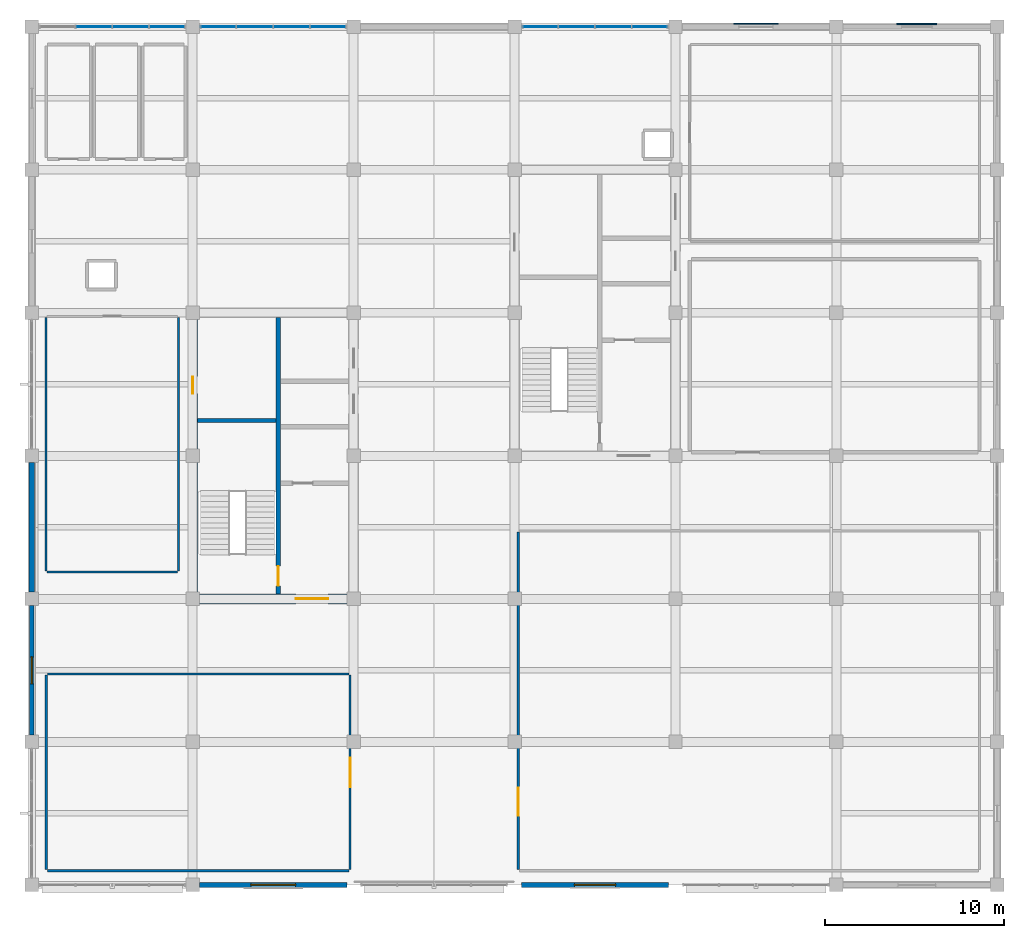
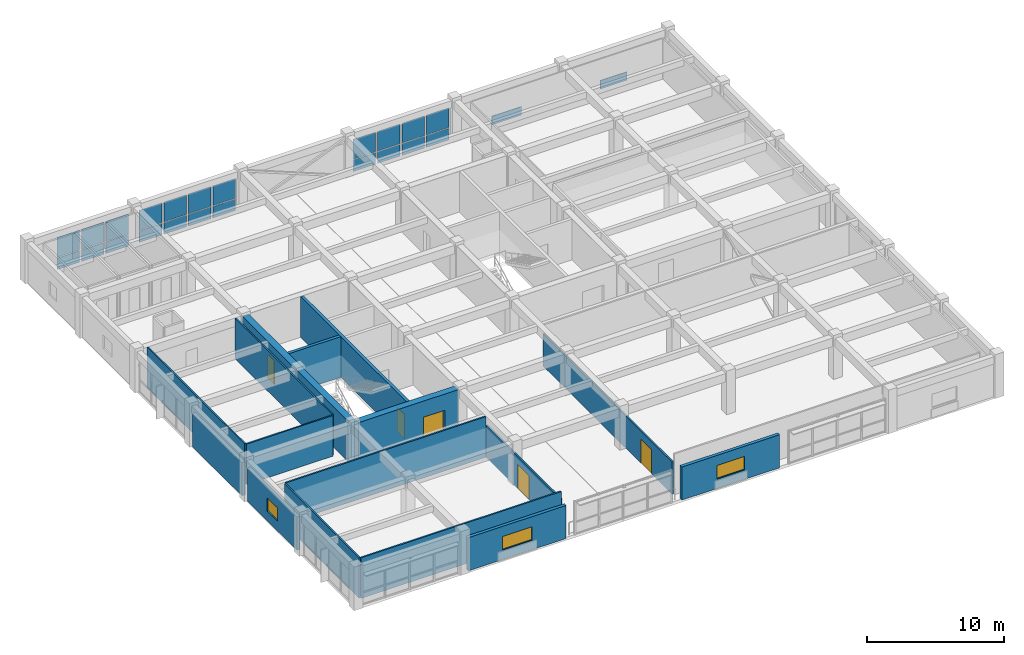
# One storey, part 11 of 15: 24 plates, 16 walls, 5 doors, 3 windows, 8 openings, 3 elements without a shape of their own.
"""IFC4 building model written with IfcOpenShell, lengths in metres."""

import ifcopenshell
import ifcopenshell.guid

model = None  # the IFC model being written
_history = None  # IfcOwnerHistory: only IFC2X3 demands one
_inside = {}  # id of a spatial element -> (the spatial element, [elements in it])
_under = {}  # id of a project, library or spatial element -> (it, [spatial elements below it])
_declared = {}  # id of a project -> (the project, [libraries it declares])
_typed = {}  # id of a type object -> (the type object, [elements of that type])
_made_of = {}  # id of a material, layer set ... -> (it, [elements and type objects made of it])


def new_model(schema):
    """Start an empty IFC model of exactly this schema.

    Asked for "IFC4X3", IfcOpenShell would pick the latest addendum, in which some entities
    have other attributes; the version numbers below select the first issue.
    IFC2X3 requires an IfcOwnerHistory on every rooted entity: one is made here for all.
    """
    global model, _history
    if schema == "IFC4X3":
        model = ifcopenshell.file(schema_version=(4, 3, 0, 0))
    else:
        model = ifcopenshell.file(schema=schema)
    _inside.clear()
    _under.clear()
    _declared.clear()
    _typed.clear()
    _made_of.clear()
    _history = None
    if model.schema == "IFC2X3":
        org = make("IfcOrganization", Name="unknown")
        user = make(
            "IfcPersonAndOrganization",
            ThePerson=make("IfcPerson", FamilyName="unknown"),
            TheOrganization=org,
        )
        app = make(
            "IfcApplication",
            ApplicationDeveloper=org,
            Version="unknown",
            ApplicationFullName="unknown",
            ApplicationIdentifier="unknown",
        )
        _history = make(
            "IfcOwnerHistory",
            OwningUser=user,
            OwningApplication=app,
            ChangeAction="ADDED",
            CreationDate=0,
        )
    return model


def make(cls, **values):
    """One entity of the class cls with the attributes given. An attribute that is None is left unset."""
    return model.create_entity(
        cls, **{name: value for name, value in values.items() if value is not None}
    )


def rooted(cls, **values):
    """An entity with a GlobalId (a new one), such as an element, a storey or a relation."""
    return make(cls, GlobalId=ifcopenshell.guid.new(), OwnerHistory=_history, **values)


def si_unit(unit_type, name, prefix=None):
    """IfcSIUnit, for example si_unit("LENGTHUNIT", "METRE", prefix="MILLI")."""
    return make("IfcSIUnit", UnitType=unit_type, Prefix=prefix, Name=name)


def assignment(units):
    """IfcUnitAssignment: the units of a project."""
    return None if units is None else make("IfcUnitAssignment", Units=units)


def point(xyz):
    """IfcCartesianPoint."""
    return None if xyz is None else make("IfcCartesianPoint", Coordinates=xyz)


def direction(xyz):
    """IfcDirection."""
    return None if xyz is None else make("IfcDirection", DirectionRatios=xyz)


def frame(location, z_axis=None, x_axis=None):
    """IfcAxis2Placement3D, a coordinate frame: its origin and axes. An axis left out is left unset."""
    return make(
        "IfcAxis2Placement3D",
        Location=point(location),
        Axis=direction(z_axis),
        RefDirection=direction(x_axis),
    )


def frame_2d(location, x_axis=None):
    """IfcAxis2Placement2D, a coordinate frame in the plane: its origin and x axis."""
    return make(
        "IfcAxis2Placement2D", Location=point(location), RefDirection=direction(x_axis)
    )


def origin():
    """The frame at (0, 0, 0) with its axes left unset."""
    return frame((0.0, 0.0, 0.0))


def place(relative_to, where):
    """IfcLocalPlacement: puts the frame where relative to a parent placement (None: the world)."""
    return make(
        "IfcLocalPlacement", PlacementRelTo=relative_to, RelativePlacement=where
    )


def context(
    kind, dimensions, precision=None, world=None, true_north=None, identifier=None
):
    """IfcGeometricRepresentationContext, for example the 3D "Model" context."""
    return make(
        "IfcGeometricRepresentationContext",
        ContextIdentifier=identifier,
        ContextType=kind,
        CoordinateSpaceDimension=dimensions,
        Precision=precision,
        WorldCoordinateSystem=world,
        TrueNorth=true_north,
    )


def subcontext(parent, identifier, kind, view, scale=None):
    """IfcGeometricRepresentationSubContext, for example "Body" below "Model"."""
    return make(
        "IfcGeometricRepresentationSubContext",
        ContextIdentifier=identifier,
        ContextType=kind,
        ParentContext=parent,
        TargetScale=scale,
        TargetView=view,
    )


def project(units=None, contexts=None):
    """IfcProject with its units and contexts."""
    return rooted(
        "IfcProject",
        Name="project",
        RepresentationContexts=contexts,
        UnitsInContext=assignment(units),
    )


def spatial(cls, under=None, at=None, **own):
    """A site, building, storey or space (cls), placed at a placement, below another one or the project."""
    s = rooted(cls, ObjectPlacement=at, **own)
    if under is not None:
        _under.setdefault(under.id(), (under, []))[1].append(s)
    return s


def profile(cls, at=None, kind="AREA", **sizes):
    """A parametric profile (cls). Its sizes go by their IFC names, for example OverallWidth=200.0."""
    return make(cls, ProfileType=kind, Position=at, **sizes)


def rectangle(**sizes):
    """IfcRectangleProfileDef."""
    return profile("IfcRectangleProfileDef", **sizes)


def extrude(swept, where, along, depth):
    """IfcExtrudedAreaSolid: the profile swept, set in the frame where, extruded along a direction by depth."""
    return make(
        "IfcExtrudedAreaSolid",
        SweptArea=swept,
        Position=where,
        ExtrudedDirection=direction(along),
        Depth=depth,
    )


def shape(context_of_items, identifier, shape_type, items):
    """IfcShapeRepresentation: the items that make up one representation, for example the "Body"."""
    return make(
        "IfcShapeRepresentation",
        ContextOfItems=context_of_items,
        RepresentationIdentifier=identifier,
        RepresentationType=shape_type,
        Items=items,
    )


def material(Name=None, Category=None):
    """IfcMaterial."""
    return make("IfcMaterial", Name=Name, Category=Category)


def layer(
    of_material, thickness, ventilated=None, Name=None, Category=None, Priority=None
):
    """IfcMaterialLayer: one layer of a wall or slab, of a material (None: an air gap)."""
    return make(
        "IfcMaterialLayer",
        Material=of_material,
        LayerThickness=thickness,
        IsVentilated=ventilated,
        Name=Name,
        Category=Category,
        Priority=Priority,
    )


def layer_set(layers, Name=None):
    """IfcMaterialLayerSet."""
    return make("IfcMaterialLayerSet", MaterialLayers=layers, LayerSetName=Name)


def made_of(thing, what):
    """Note that an element or type object is made of a material, layer set ...; save() writes the relation."""
    if what is not None:
        _made_of.setdefault(what.id(), (what, []))[1].append(thing)
    return thing


def type_object(cls, material=None, **own):
    """A type object (cls), such as IfcWallType, which elements share."""
    return made_of(rooted(cls, **own), material)


def element(
    cls,
    number,
    at=None,
    inside=None,
    cuts=None,
    type_object=None,
    material=None,
    context=None,
    identifier="Body",
    shape_type=None,
    held_by="IfcProductDefinitionShape",
    body=None,
    shapes=None,
    **own,
):
    """One element of the class cls, such as IfcWall. Its Tag is "e" and its number.

    at: its placement. inside: the storey or other place that contains it. cuts: it is an
    opening in that element (IfcRelVoidsElement). A single representation is given by context,
    identifier, shape_type and body (its items); several are given by shapes. held_by: the class
    of the entity that holds the representations. save() writes the other relations.
    """
    e = rooted(cls, Tag="e%d" % number, ObjectPlacement=at, **own)
    if body is not None:
        shapes = [shape(context, identifier, shape_type, body)]
    if shapes is not None:
        e.Representation = make(held_by, Representations=shapes)
    if inside is not None:
        _inside.setdefault(inside.id(), (inside, []))[1].append(e)
    if cuts is not None:
        rooted(
            "IfcRelVoidsElement", RelatingBuildingElement=cuts, RelatedOpeningElement=e
        )
    if type_object is not None:
        _typed.setdefault(type_object.id(), (type_object, []))[1].append(e)
    return made_of(e, material)


def fill(opening, filler):
    """IfcRelFillsElement: the door or window that sits in an opening."""
    return rooted(
        "IfcRelFillsElement",
        RelatingOpeningElement=opening,
        RelatedBuildingElement=filler,
    )


def aggregate(whole, parts):
    """IfcRelAggregates: a whole, such as a stair, and the parts it consists of."""
    return rooted("IfcRelAggregates", RelatingObject=whole, RelatedObjects=parts)


def save(model, path):
    """Write the relations noted so far, then the file.

    IfcRelAggregates (storeys below a building ...), IfcRelContainedInSpatialStructure (elements
    in a storey), IfcRelDefinesByType, IfcRelAssociatesMaterial and IfcRelDeclares: one each for
    every whole, place, type object, material and project.
    """
    for whole, parts in _under.values():
        aggregate(whole, parts)
    for where, things in _inside.values():
        rooted(
            "IfcRelContainedInSpatialStructure",
            RelatedElements=things,
            RelatingStructure=where,
        )
    for kind, things in _typed.values():
        rooted("IfcRelDefinesByType", RelatedObjects=things, RelatingType=kind)
    for what, things in _made_of.values():
        rooted("IfcRelAssociatesMaterial", RelatedObjects=things, RelatingMaterial=what)
    for by, libraries in _declared.values():
        rooted("IfcRelDeclares", RelatingContext=by, RelatedDefinitions=libraries)
    model.write(path)


model = new_model("IFC4")

# Units and contexts
model_context = context("Model", 3, precision=1e-05, world=origin(), true_north=direction((0.0, 1.0)))
body_context = subcontext(model_context, "Body", "Model", "MODEL_VIEW")
ifc_project = project(units=[si_unit("LENGTHUNIT", "METRE"), si_unit("AREAUNIT", "SQUARE_METRE"), si_unit("VOLUMEUNIT", "CUBIC_METRE"), si_unit("PLANEANGLEUNIT", "RADIAN"), si_unit("MASSUNIT", "GRAM", prefix="KILO")], contexts=[model_context])

# Site, building, storey
site_placement = place(None, origin())
site = spatial("IfcSite", under=ifc_project, at=site_placement, CompositionType="ELEMENT")
building_placement = place(site_placement, origin())
building = spatial("IfcBuilding", under=site, at=building_placement, Name="Zaverband Oceanarium and Marine Research Institute", CompositionType="ELEMENT")
storey_placement = place(building_placement, frame((0.0, 0.0, 49.199951171875)))
storey = spatial("IfcBuildingStorey", under=building, at=storey_placement, Name="L12", CompositionType="ELEMENT", Elevation=49.199951171875)

# Curtain wall, plates
ifc_material_1 = material(Name="Thermally broken anodized aluminium and solar-control glass", Category="aluminium")
curtain_wall_type = type_object("IfcCurtainWallType", Name="CW-UNIT-1800", PredefinedType="NOTDEFINED", material=ifc_material_1)
curtain_wall_1_placement = place(storey_placement, origin())
curtain_wall_1 = element("IfcCurtainWall", 1, at=curtain_wall_1_placement, inside=storey, type_object=curtain_wall_type, Name="Unitised glazed curtain wall CW-133", PredefinedType="NOTDEFINED")
ifc_material_2 = material(Name="Low-E double-glazed solar-control glass", Category="glass")
ifc_layer_1 = layer(ifc_material_2, 0.033935546875, Name="Low-E double-glazed solar-control glass")
ifc_layer_set_1 = layer_set([ifc_layer_1], Name="Low-E double-glazed solar-control glass")
plate_type_1 = type_object("IfcPlateType", Name="CWP-1820x1043", PredefinedType="CURTAIN_PANEL", material=ifc_layer_set_1)
plate_1_placement = place(storey_placement, frame((11.52001953125, 112.0, 0.050048828125), z_axis=(0.0, 0.0, 1.0), x_axis=(1.0, 0.0, 0.0)))
plate_1 = element("IfcPlate", 2, at=plate_1_placement, type_object=plate_type_1, Name="Glazed curtain wall panel CWP-1820x1043", PredefinedType="CURTAIN_PANEL", context=body_context, shape_type="SweptSolid", body=[
    extrude(rectangle(XDim=1.89990234375, YDim=0.033935546875, at=frame_2d((0.949951171875, 0.0))), origin(), (0.0, 0.0, 1.0), 1.031982421875),
])
plate_2_placement = place(storey_placement, frame((13.580078125, 112.0, 0.050048828125), z_axis=(0.0, 0.0, 1.0), x_axis=(1.0, 0.0, 0.0)))
plate_2 = element("IfcPlate", 3, at=plate_2_placement, type_object=plate_type_1, Name="Glazed curtain wall panel CWP-1820x1043", PredefinedType="CURTAIN_PANEL", context=body_context, shape_type="SweptSolid", body=[
    extrude(rectangle(XDim=1.89990234375, YDim=0.033935546875, at=frame_2d((0.949951171875, 0.0))), origin(), (0.0, 0.0, 1.0), 1.031982421875),
])
plate_3_placement = place(storey_placement, frame((15.639892578125, 112.0, 0.050048828125), z_axis=(0.0, 0.0, 1.0), x_axis=(1.0, 0.0, 0.0)))
plate_3 = element("IfcPlate", 4, at=plate_3_placement, type_object=plate_type_1, Name="Glazed curtain wall panel CWP-1820x1043", PredefinedType="CURTAIN_PANEL", context=body_context, shape_type="SweptSolid", body=[
    extrude(rectangle(XDim=1.900146484375, YDim=0.033935546875, at=frame_2d((0.9501953125, 0.0))), origin(), (0.0, 0.0, 1.0), 1.031982421875),
])

curtain_wall_2_placement = place(storey_placement, origin())
curtain_wall_2 = element("IfcCurtainWall", 5, at=curtain_wall_2_placement, inside=storey, type_object=curtain_wall_type, Name="Unitised glazed curtain wall CW-134", PredefinedType="NOTDEFINED")
plate_4_placement = place(storey_placement, frame((18.4599609375, 112.0, 0.050048828125), z_axis=(0.0, 0.0, 1.0), x_axis=(1.0, 0.0, 0.0)))
plate_4 = element("IfcPlate", 6, at=plate_4_placement, type_object=plate_type_1, Name="Glazed curtain wall panel CWP-1820x1043", PredefinedType="CURTAIN_PANEL", context=body_context, shape_type="SweptSolid", body=[
    extrude(rectangle(XDim=1.900146484375, YDim=0.033935546875, at=frame_2d((0.9501953125, 0.0))), origin(), (0.0, 0.0, 1.0), 1.031982421875),
])
plate_5_placement = place(storey_placement, frame((20.52001953125, 112.0, 0.050048828125), z_axis=(0.0, 0.0, 1.0), x_axis=(1.0, 0.0, 0.0)))
plate_5 = element("IfcPlate", 7, at=plate_5_placement, type_object=plate_type_1, Name="Glazed curtain wall panel CWP-1820x1043", PredefinedType="CURTAIN_PANEL", context=body_context, shape_type="SweptSolid", body=[
    extrude(rectangle(XDim=1.89990234375, YDim=0.033935546875, at=frame_2d((0.949951171875, 0.0))), origin(), (0.0, 0.0, 1.0), 1.031982421875),
])
plate_6_placement = place(storey_placement, frame((22.580078125, 112.0, 0.050048828125), z_axis=(0.0, 0.0, 1.0), x_axis=(1.0, 0.0, 0.0)))
plate_6 = element("IfcPlate", 8, at=plate_6_placement, type_object=plate_type_1, Name="Glazed curtain wall panel CWP-1820x1043", PredefinedType="CURTAIN_PANEL", context=body_context, shape_type="SweptSolid", body=[
    extrude(rectangle(XDim=1.89990234375, YDim=0.033935546875, at=frame_2d((0.949951171875, 0.0))), origin(), (0.0, 0.0, 1.0), 1.031982421875),
])
plate_7_placement = place(storey_placement, frame((24.639892578125, 112.0, 0.050048828125), z_axis=(0.0, 0.0, 1.0), x_axis=(1.0, 0.0, 0.0)))
plate_7 = element("IfcPlate", 9, at=plate_7_placement, type_object=plate_type_1, Name="Glazed curtain wall panel CWP-1820x1043", PredefinedType="CURTAIN_PANEL", context=body_context, shape_type="SweptSolid", body=[
    extrude(rectangle(XDim=1.900146484375, YDim=0.033935546875, at=frame_2d((0.9501953125, 0.0))), origin(), (0.0, 0.0, 1.0), 1.031982421875),
])

curtain_wall_3_placement = place(storey_placement, origin())
curtain_wall_3 = element("IfcCurtainWall", 10, at=curtain_wall_3_placement, inside=storey, type_object=curtain_wall_type, Name="Unitised glazed curtain wall CW-135", PredefinedType="NOTDEFINED")
plate_8_placement = place(storey_placement, frame((36.4599609375, 112.0, 0.050048828125), z_axis=(0.0, 0.0, 1.0), x_axis=(1.0, 0.0, 0.0)))
plate_8 = element("IfcPlate", 11, at=plate_8_placement, type_object=plate_type_1, Name="Glazed curtain wall panel CWP-1820x1043", PredefinedType="CURTAIN_PANEL", context=body_context, shape_type="SweptSolid", body=[
    extrude(rectangle(XDim=1.900146484375, YDim=0.033935546875, at=frame_2d((0.9501953125, 0.0))), origin(), (0.0, 0.0, 1.0), 1.031982421875),
])
plate_9_placement = place(storey_placement, frame((38.52001953125, 112.0, 0.050048828125), z_axis=(0.0, 0.0, 1.0), x_axis=(1.0, 0.0, 0.0)))
plate_9 = element("IfcPlate", 12, at=plate_9_placement, type_object=plate_type_1, Name="Glazed curtain wall panel CWP-1820x1043", PredefinedType="CURTAIN_PANEL", context=body_context, shape_type="SweptSolid", body=[
    extrude(rectangle(XDim=1.89990234375, YDim=0.033935546875, at=frame_2d((0.949951171875, 0.0))), origin(), (0.0, 0.0, 1.0), 1.031982421875),
])
plate_10_placement = place(storey_placement, frame((40.580078125, 112.0, 0.050048828125), z_axis=(0.0, 0.0, 1.0), x_axis=(1.0, 0.0, 0.0)))
plate_10 = element("IfcPlate", 13, at=plate_10_placement, type_object=plate_type_1, Name="Glazed curtain wall panel CWP-1820x1043", PredefinedType="CURTAIN_PANEL", context=body_context, shape_type="SweptSolid", body=[
    extrude(rectangle(XDim=1.89990234375, YDim=0.033935546875, at=frame_2d((0.949951171875, 0.0))), origin(), (0.0, 0.0, 1.0), 1.031982421875),
])
plate_11_placement = place(storey_placement, frame((42.639892578125, 112.0, 0.050048828125), z_axis=(0.0, 0.0, 1.0), x_axis=(1.0, 0.0, 0.0)))
plate_11 = element("IfcPlate", 14, at=plate_11_placement, type_object=plate_type_1, Name="Glazed curtain wall panel CWP-1820x1043", PredefinedType="CURTAIN_PANEL", context=body_context, shape_type="SweptSolid", body=[
    extrude(rectangle(XDim=1.900146484375, YDim=0.033935546875, at=frame_2d((0.9501953125, 0.0))), origin(), (0.0, 0.0, 1.0), 1.031982421875),
])

# Plate
ifc_layer_2 = layer(ifc_material_2, 0.035888671875, Name="Low-E double-glazed solar-control glass")
ifc_layer_set_2 = layer_set([ifc_layer_2], Name="Low-E double-glazed solar-control glass")
plate_type_2 = type_object("IfcPlateType", Name="CWP-1820x1777", PredefinedType="CURTAIN_PANEL", material=ifc_layer_set_2)
plate_12_placement = place(storey_placement, frame((11.52001953125, 112.0, 1.152099609375), z_axis=(0.0, 0.0, 1.0), x_axis=(1.0, 0.0, 0.0)))
plate_12 = element("IfcPlate", 15, at=plate_12_placement, type_object=plate_type_2, Name="Glazed curtain wall panel CWP-1820x1777", PredefinedType="CURTAIN_PANEL", context=body_context, shape_type="SweptSolid", body=[
    extrude(rectangle(XDim=1.89990234375, YDim=0.035888671875, at=frame_2d((0.949951171875, 0.0))), origin(), (0.0, 0.0, 1.0), 1.758056640625),
])

plate_13_placement = place(storey_placement, frame((13.580078125, 112.0, 1.152099609375), z_axis=(0.0, 0.0, 1.0), x_axis=(1.0, 0.0, 0.0)))
plate_13 = element("IfcPlate", 16, at=plate_13_placement, type_object=plate_type_2, Name="Glazed curtain wall panel CWP-1820x1777", PredefinedType="CURTAIN_PANEL", context=body_context, shape_type="SweptSolid", body=[
    extrude(rectangle(XDim=1.89990234375, YDim=0.035888671875, at=frame_2d((0.949951171875, 0.0))), origin(), (0.0, 0.0, 1.0), 1.758056640625),
])

plate_14_placement = place(storey_placement, frame((15.639892578125, 112.0, 1.152099609375), z_axis=(0.0, 0.0, 1.0), x_axis=(1.0, 0.0, 0.0)))
plate_14 = element("IfcPlate", 17, at=plate_14_placement, type_object=plate_type_2, Name="Glazed curtain wall panel CWP-1820x1777", PredefinedType="CURTAIN_PANEL", context=body_context, shape_type="SweptSolid", body=[
    extrude(rectangle(XDim=1.900146484375, YDim=0.035888671875, at=frame_2d((0.9501953125, 0.0))), origin(), (0.0, 0.0, 1.0), 1.758056640625),
])

aggregate(curtain_wall_1, [plate_1, plate_12, plate_2, plate_13, plate_3, plate_14])

plate_15_placement = place(storey_placement, frame((18.4599609375, 112.0, 1.152099609375), z_axis=(0.0, 0.0, 1.0), x_axis=(1.0, 0.0, 0.0)))
plate_15 = element("IfcPlate", 18, at=plate_15_placement, type_object=plate_type_2, Name="Glazed curtain wall panel CWP-1820x1777", PredefinedType="CURTAIN_PANEL", context=body_context, shape_type="SweptSolid", body=[
    extrude(rectangle(XDim=1.900146484375, YDim=0.035888671875, at=frame_2d((0.9501953125, 0.0))), origin(), (0.0, 0.0, 1.0), 1.758056640625),
])

plate_16_placement = place(storey_placement, frame((20.52001953125, 112.0, 1.152099609375), z_axis=(0.0, 0.0, 1.0), x_axis=(1.0, 0.0, 0.0)))
plate_16 = element("IfcPlate", 19, at=plate_16_placement, type_object=plate_type_2, Name="Glazed curtain wall panel CWP-1820x1777", PredefinedType="CURTAIN_PANEL", context=body_context, shape_type="SweptSolid", body=[
    extrude(rectangle(XDim=1.89990234375, YDim=0.035888671875, at=frame_2d((0.949951171875, 0.0))), origin(), (0.0, 0.0, 1.0), 1.758056640625),
])

plate_17_placement = place(storey_placement, frame((22.580078125, 112.0, 1.152099609375), z_axis=(0.0, 0.0, 1.0), x_axis=(1.0, 0.0, 0.0)))
plate_17 = element("IfcPlate", 20, at=plate_17_placement, type_object=plate_type_2, Name="Glazed curtain wall panel CWP-1820x1777", PredefinedType="CURTAIN_PANEL", context=body_context, shape_type="SweptSolid", body=[
    extrude(rectangle(XDim=1.89990234375, YDim=0.035888671875, at=frame_2d((0.949951171875, 0.0))), origin(), (0.0, 0.0, 1.0), 1.758056640625),
])

plate_18_placement = place(storey_placement, frame((24.639892578125, 112.0, 1.152099609375), z_axis=(0.0, 0.0, 1.0), x_axis=(1.0, 0.0, 0.0)))
plate_18 = element("IfcPlate", 21, at=plate_18_placement, type_object=plate_type_2, Name="Glazed curtain wall panel CWP-1820x1777", PredefinedType="CURTAIN_PANEL", context=body_context, shape_type="SweptSolid", body=[
    extrude(rectangle(XDim=1.900146484375, YDim=0.035888671875, at=frame_2d((0.9501953125, 0.0))), origin(), (0.0, 0.0, 1.0), 1.758056640625),
])

aggregate(curtain_wall_2, [plate_4, plate_15, plate_5, plate_16, plate_6, plate_17, plate_7, plate_18])

plate_19_placement = place(storey_placement, frame((36.4599609375, 112.0, 1.152099609375), z_axis=(0.0, 0.0, 1.0), x_axis=(1.0, 0.0, 0.0)))
plate_19 = element("IfcPlate", 22, at=plate_19_placement, type_object=plate_type_2, Name="Glazed curtain wall panel CWP-1820x1777", PredefinedType="CURTAIN_PANEL", context=body_context, shape_type="SweptSolid", body=[
    extrude(rectangle(XDim=1.900146484375, YDim=0.035888671875, at=frame_2d((0.9501953125, 0.0))), origin(), (0.0, 0.0, 1.0), 1.758056640625),
])

plate_20_placement = place(storey_placement, frame((38.52001953125, 112.0, 1.152099609375), z_axis=(0.0, 0.0, 1.0), x_axis=(1.0, 0.0, 0.0)))
plate_20 = element("IfcPlate", 23, at=plate_20_placement, type_object=plate_type_2, Name="Glazed curtain wall panel CWP-1820x1777", PredefinedType="CURTAIN_PANEL", context=body_context, shape_type="SweptSolid", body=[
    extrude(rectangle(XDim=1.89990234375, YDim=0.035888671875, at=frame_2d((0.949951171875, 0.0))), origin(), (0.0, 0.0, 1.0), 1.758056640625),
])

plate_21_placement = place(storey_placement, frame((40.580078125, 112.0, 1.152099609375), z_axis=(0.0, 0.0, 1.0), x_axis=(1.0, 0.0, 0.0)))
plate_21 = element("IfcPlate", 24, at=plate_21_placement, type_object=plate_type_2, Name="Glazed curtain wall panel CWP-1820x1777", PredefinedType="CURTAIN_PANEL", context=body_context, shape_type="SweptSolid", body=[
    extrude(rectangle(XDim=1.89990234375, YDim=0.035888671875, at=frame_2d((0.949951171875, 0.0))), origin(), (0.0, 0.0, 1.0), 1.758056640625),
])

plate_22_placement = place(storey_placement, frame((42.639892578125, 112.0, 1.152099609375), z_axis=(0.0, 0.0, 1.0), x_axis=(1.0, 0.0, 0.0)))
plate_22 = element("IfcPlate", 25, at=plate_22_placement, type_object=plate_type_2, Name="Glazed curtain wall panel CWP-1820x1777", PredefinedType="CURTAIN_PANEL", context=body_context, shape_type="SweptSolid", body=[
    extrude(rectangle(XDim=1.900146484375, YDim=0.035888671875, at=frame_2d((0.9501953125, 0.0))), origin(), (0.0, 0.0, 1.0), 1.758056640625),
])

aggregate(curtain_wall_3, [plate_8, plate_19, plate_9, plate_20, plate_10, plate_21, plate_11, plate_22])

# Plates
ifc_material_3 = material(Name="Concrete C40/50 precast ochre", Category="concrete")
ifc_layer_3 = layer(ifc_material_3, 0.074951171875, Name="Concrete C40/50 precast ochre")
ifc_layer_set_3 = layer_set([ifc_layer_3], Name="Concrete C40/50 precast ochre")
plate_type_3 = type_object("IfcPlateType", Name="FRP-2250x740", PredefinedType="USERDEFINED", material=ifc_layer_set_3)
plate_23_placement = place(storey_placement, frame((57.375, 112.155029296875, 0.0), z_axis=(0.0, 0.0, 1.0), x_axis=(1.0, 0.0, 0.0)))
element("IfcPlate", 26, at=plate_23_placement, inside=storey, type_object=plate_type_3, Name="Geometric precast facade cladding panel FRP-2250x740", ObjectType="FLANGE_PLATE", PredefinedType="USERDEFINED", context=body_context, shape_type="SweptSolid", body=[
    extrude(rectangle(XDim=2.25, YDim=0.074951171875, at=frame_2d((1.125, 0.0))), origin(), (0.0, 0.0, 1.0), 0.739990234375),
])
ifc_layer_4 = layer(ifc_material_3, 0.074951171875, Name="Concrete C40/50 precast ochre")
ifc_layer_set_4 = layer_set([ifc_layer_4], Name="Concrete C40/50 precast ochre")
plate_type_4 = type_object("IfcPlateType", Name="FRP-2500x750", PredefinedType="USERDEFINED", material=ifc_layer_set_4)
plate_24_placement = place(storey_placement, frame((48.25, 112.16748046875, 0.0), z_axis=(0.0, 0.0, 1.0), x_axis=(1.0, 0.0, 0.0)))
element("IfcPlate", 27, at=plate_24_placement, inside=storey, type_object=plate_type_4, Name="Geometric precast facade cladding panel FRP-2500x750", ObjectType="FLANGE_PLATE", PredefinedType="USERDEFINED", context=body_context, shape_type="SweptSolid", body=[
    extrude(rectangle(XDim=2.5, YDim=0.074951171875, at=frame_2d((1.25, 0.0))), origin(), (0.0, 0.0, 1.0), 0.75),
])

# Wall, opening, door
ifc_material_4 = material(Name="Concrete C50/60", Category="concrete")
ifc_layer_5 = layer(ifc_material_4, 0.550048828125, Name="Concrete C50/60")
ifc_layer_set_5 = layer_set([ifc_layer_5], Name="Concrete C50/60")
wall_type_1 = type_object("IfcWallType", Name="CW-01", PredefinedType="SHEAR", material=ifc_layer_set_5)
wall_1_placement = place(storey_placement, frame((18.27490234375, 80.0, 0.0), z_axis=(0.0, 0.0, 1.0), x_axis=(1.0, 0.0, 0.0)))
wall_1 = element("IfcWall", 28, at=wall_1_placement, inside=storey, type_object=wall_type_1, Name="Structural shear wall CW-01", PredefinedType="SHEAR", context=body_context, shape_type="SweptSolid", body=[
    extrude(rectangle(XDim=8.4501953125, YDim=0.550048828125, at=frame_2d((4.22509765625, 0.0))), origin(), (0.0, 0.0, 1.0), 3.6201171875),
])
opening_1_placement = place(wall_1_placement, frame((5.5, 0.0, 0.0)))
opening_1 = element("IfcOpeningElement", 29, at=opening_1_placement, cuts=wall_1, Name="Opening FD-02", PredefinedType="OPENING", context=body_context, shape_type="SweptSolid", body=[
    extrude(rectangle(XDim=1.800048828125, YDim=2.179931640625, at=frame_2d((0.89990234375, 1.08984375))), frame((0.0, 0.287109375, 0.0), z_axis=(0.0, -1.0, 0.0), x_axis=(1.0, 0.0, 0.0)), (0.0, 0.0, 1.0), 0.573974609375),
])
ifc_material_5 = material(Name="Steel S355", Category="steel")
door_type_1 = type_object("IfcDoorType", Name="FD-02", OperationType="DOUBLE_DOOR_SINGLE_SWING", PredefinedType="DOOR", material=ifc_material_5)
door_1_placement = place(opening_1_placement, origin())
door_1 = element("IfcDoor", 30, at=door_1_placement, inside=storey, type_object=door_type_1, Name="Protected lobby double fire door FD-02", OperationType="DOUBLE_DOOR_SINGLE_SWING", OverallHeight=2.179931640625, OverallWidth=1.800048828125, PredefinedType="DOOR", context=body_context, shape_type="SweptSolid", body=[
    extrude(rectangle(XDim=1.800048828125, YDim=2.179931640625, at=frame_2d((0.89990234375, 1.08984375))), frame((0.0, 0.02490234375, 0.0), z_axis=(0.0, -1.0, 0.0), x_axis=(1.0, 0.0, 0.0)), (0.0, 0.0, 1.0), 0.050048828125),
])
fill(opening_1, door_1)

wall_2_placement = place(storey_placement, frame((18.0, 80.27490234375, 0.0), z_axis=(0.0, 0.0, 1.0), x_axis=(0.0, 1.0, 0.0)))
wall_2 = element("IfcWall", 31, at=wall_2_placement, inside=storey, type_object=wall_type_1, Name="Structural shear wall CW-01", PredefinedType="SHEAR", context=body_context, shape_type="SweptSolid", body=[
    extrude(rectangle(XDim=15.4501953125, YDim=0.550048828125, at=frame_2d((7.72509765625, 0.0))), origin(), (0.0, 0.0, 1.0), 3.6201171875),
])
opening_2_placement = place(wall_2_placement, frame((11.199951171875, 0.0, 0.0)))
opening_2 = element("IfcOpeningElement", 32, at=opening_2_placement, cuts=wall_2, Name="Opening FD-03", PredefinedType="OPENING", context=body_context, shape_type="SweptSolid", body=[
    extrude(rectangle(XDim=0.949951171875, YDim=2.10009765625, at=frame_2d((0.47509765625, 1.050048828125))), frame((0.0, 0.287109375, 0.0), z_axis=(0.0, -1.0, 0.0), x_axis=(1.0, 0.0, 0.0)), (0.0, 0.0, 1.0), 0.573974609375),
])
door_type_2 = type_object("IfcDoorType", Name="FD-03", OperationType="NOTDEFINED", PredefinedType="DOOR", material=ifc_material_5)
door_2_placement = place(opening_2_placement, origin())
door_2 = element("IfcDoor", 33, at=door_2_placement, inside=storey, type_object=door_type_2, Name="Service riser access fire door FD-03", OperationType="SINGLE_SWING_RIGHT", OverallHeight=2.10009765625, OverallWidth=0.949951171875, PredefinedType="DOOR", context=body_context, shape_type="SweptSolid", body=[
    extrude(rectangle(XDim=0.949951171875, YDim=2.10009765625, at=frame_2d((0.47509765625, 1.050048828125))), frame((0.0, 0.02490234375, 0.0), z_axis=(0.0, -1.0, 0.0), x_axis=(1.0, 0.0, 0.0)), (0.0, 0.0, 1.0), 0.050048828125),
])
fill(opening_2, door_2)

# Wall, opening, window
ifc_material_6 = material(Name="Concrete C40/50 precast", Category="concrete")
ifc_layer_6 = layer(ifc_material_6, 0.264892578125, Name="Concrete C40/50 precast")
ifc_layer_set_6 = layer_set([ifc_layer_6], Name="Concrete C40/50 precast")
wall_type_2 = type_object("IfcWallType", Name="EW-265", PredefinedType="STANDARD", material=ifc_layer_set_6)
wall_3_placement = place(storey_placement, frame((18.3798828125, 64.0, 0.0), z_axis=(0.0, 0.0, 1.0), x_axis=(1.0, 0.0, 0.0)))
wall_3 = element("IfcWall", 34, at=wall_3_placement, inside=storey, type_object=wall_type_2, Name="Exterior infill wall EW-265", PredefinedType="STANDARD", context=body_context, shape_type="SweptSolid", body=[
    extrude(rectangle(XDim=8.240234375, YDim=0.264892578125, at=frame_2d((4.1201171875, 0.0))), origin(), (0.0, 0.0, 1.0), 2.949951171875),
])
opening_3_placement = place(wall_3_placement, frame((2.8701171875, 0.0, 0.85009765625)))
opening_3 = element("IfcOpeningElement", 35, at=opening_3_placement, cuts=wall_3, Name="Opening WN-2500x1200", PredefinedType="OPENING", context=body_context, shape_type="SweptSolid", body=[
    extrude(rectangle(XDim=2.5, YDim=1.199951171875, at=frame_2d((1.25, 0.60009765625))), frame((0.0, 0.14453125, 0.0), z_axis=(0.0, -1.0, 0.0), x_axis=(1.0, 0.0, 0.0)), (0.0, 0.0, 1.0), 0.288818359375),
])
window_type_1 = type_object("IfcWindowType", Name="WN-2500x1200", PartitioningType="SINGLE_PANEL", PredefinedType="WINDOW", material=ifc_material_1)
window_1_placement = place(opening_3_placement, origin())
window_1 = element("IfcWindow", 36, at=window_1_placement, inside=storey, type_object=window_type_1, Name="Fixed / casement exterior window WN-2500x1200", OverallHeight=1.199951171875, OverallWidth=2.5, PartitioningType="SINGLE_PANEL", PredefinedType="WINDOW", context=body_context, shape_type="SweptSolid", body=[
    extrude(rectangle(XDim=2.5, YDim=1.199951171875, at=frame_2d((1.25, 0.60009765625))), frame((0.0, 0.030029296875, 0.0), z_axis=(0.0, -1.0, 0.0), x_axis=(1.0, 0.0, 0.0)), (0.0, 0.0, 1.0), 0.06005859375),
])
fill(opening_3, window_1)

wall_4_placement = place(storey_placement, frame((36.3798828125, 64.0, 0.0), z_axis=(0.0, 0.0, 1.0), x_axis=(1.0, 0.0, 0.0)))
wall_4 = element("IfcWall", 37, at=wall_4_placement, inside=storey, type_object=wall_type_2, Name="Exterior infill wall EW-265", PredefinedType="STANDARD", context=body_context, shape_type="SweptSolid", body=[
    extrude(rectangle(XDim=8.240234375, YDim=0.264892578125, at=frame_2d((4.1201171875, 0.0))), origin(), (0.0, 0.0, 1.0), 2.949951171875),
])
opening_4_placement = place(wall_4_placement, frame((2.969970703125, 0.0, 0.85009765625)))
opening_4 = element("IfcOpeningElement", 38, at=opening_4_placement, cuts=wall_4, Name="Opening WN-2300x1200", PredefinedType="OPENING", context=body_context, shape_type="SweptSolid", body=[
    extrude(rectangle(XDim=2.300048828125, YDim=1.199951171875, at=frame_2d((1.14990234375, 0.60009765625))), frame((0.0, 0.14453125, 0.0), z_axis=(0.0, -1.0, 0.0), x_axis=(1.0, 0.0, 0.0)), (0.0, 0.0, 1.0), 0.288818359375),
])
window_type_2 = type_object("IfcWindowType", Name="WN-2300x1200", PartitioningType="SINGLE_PANEL", PredefinedType="WINDOW", material=ifc_material_1)
window_2_placement = place(opening_4_placement, origin())
window_2 = element("IfcWindow", 39, at=window_2_placement, inside=storey, type_object=window_type_2, Name="Fixed / casement exterior window WN-2300x1200", OverallHeight=1.199951171875, OverallWidth=2.300048828125, PartitioningType="SINGLE_PANEL", PredefinedType="WINDOW", context=body_context, shape_type="SweptSolid", body=[
    extrude(rectangle(XDim=2.300048828125, YDim=1.199951171875, at=frame_2d((1.14990234375, 0.60009765625))), frame((0.0, 0.030029296875, 0.0), z_axis=(0.0, -1.0, 0.0), x_axis=(1.0, 0.0, 0.0)), (0.0, 0.0, 1.0), 0.06005859375),
])
fill(opening_4, window_2)

wall_5_placement = place(storey_placement, frame((9.0, 72.3798828125, 0.0), z_axis=(0.0, 0.0, 1.0), x_axis=(0.0, 1.0, 0.0)))
wall_5 = element("IfcWall", 40, at=wall_5_placement, inside=storey, type_object=wall_type_2, Name="Exterior infill wall EW-265", PredefinedType="STANDARD", context=body_context, shape_type="SweptSolid", body=[
    extrude(rectangle(XDim=7.240234375, YDim=0.264892578125, at=frame_2d((3.6201171875, 0.0))), origin(), (0.0, 0.0, 1.0), 2.949951171875),
])
opening_5_placement = place(wall_5_placement, frame((2.8701171875, 0.0, 0.85009765625)))
opening_5 = element("IfcOpeningElement", 41, at=opening_5_placement, cuts=wall_5, Name="Opening WN-1500x1200", PredefinedType="OPENING", context=body_context, shape_type="SweptSolid", body=[
    extrude(rectangle(XDim=1.5, YDim=1.199951171875, at=frame_2d((0.75, 0.60009765625))), frame((0.0, 0.14453125, 0.0), z_axis=(0.0, -1.0, 0.0), x_axis=(1.0, 0.0, 0.0)), (0.0, 0.0, 1.0), 0.288818359375),
])
window_type_3 = type_object("IfcWindowType", Name="WN-1500x1200", PartitioningType="SINGLE_PANEL", PredefinedType="WINDOW", material=ifc_material_1)
window_3_placement = place(opening_5_placement, origin())
window_3 = element("IfcWindow", 42, at=window_3_placement, inside=storey, type_object=window_type_3, Name="Fixed / casement exterior window WN-1500x1200", OverallHeight=1.199951171875, OverallWidth=1.5, PartitioningType="SINGLE_PANEL", PredefinedType="WINDOW", context=body_context, shape_type="SweptSolid", body=[
    extrude(rectangle(XDim=1.5, YDim=1.199951171875, at=frame_2d((0.75, 0.60009765625))), frame((0.0, 0.030029296875, 0.0), z_axis=(0.0, -1.0, 0.0), x_axis=(1.0, 0.0, 0.0)), (0.0, 0.0, 1.0), 0.06005859375),
])
fill(opening_5, window_3)

# Walls
ifc_layer_7 = layer(ifc_material_6, 0.2900390625, Name="Concrete C40/50 precast")
ifc_layer_set_7 = layer_set([ifc_layer_7], Name="Concrete C40/50 precast")
wall_type_3 = type_object("IfcWallType", Name="EW-290", PredefinedType="STANDARD", material=ifc_layer_set_7)
wall_6_placement = place(storey_placement, frame((9.0, 80.3798828125, 0.0), z_axis=(0.0, 0.0, 1.0), x_axis=(0.0, 1.0, 0.0)))
element("IfcWall", 43, at=wall_6_placement, inside=storey, type_object=wall_type_3, Name="Exterior infill wall EW-290", PredefinedType="STANDARD", context=body_context, shape_type="SweptSolid", body=[
    extrude(rectangle(XDim=7.240234375, YDim=0.2900390625, at=frame_2d((3.6201171875, 0.0))), origin(), (0.0, 0.0, 1.0), 2.949951171875),
])
ifc_material_7 = material(Name="Insulated metal-stud office partition")
ifc_layer_8 = layer(ifc_material_7, 0.1201171875, Name="Insulated metal-stud office partition")
ifc_layer_set_8 = layer_set([ifc_layer_8], Name="Insulated metal-stud office partition")
wall_type_4 = type_object("IfcWallType", Name="PT-120-OF", PredefinedType="PARTITIONING", material=ifc_layer_set_8)
wall_7_placement = place(storey_placement, frame((9.860107421875, 81.5, 0.0), z_axis=(0.0, 0.0, 1.0), x_axis=(1.0, 0.0, 0.0)))
element("IfcWall", 44, at=wall_7_placement, inside=storey, type_object=wall_type_4, Name="Internal partition PT-120-OF", PredefinedType="PARTITIONING", context=body_context, shape_type="SweptSolid", body=[
    extrude(rectangle(XDim=7.27978515625, YDim=0.1201171875, at=frame_2d((3.639892578125, 0.0))), origin(), (0.0, 0.0, 1.0), 3.6201171875),
])
for number, where, z_axis, x_axis, name in (
    (45, (9.800048828125, 81.56005859375, 0.0), (0.0, 0.0, 1.0), (0.0, 1.0, 0.0), "Internal partition PT-120-OF"),
    (46, (17.199951171875, 81.56005859375, 0.0), (0.0, 0.0, 1.0), (0.0, 1.0, 0.0), "Internal partition PT-120-OF"),
):
    element("IfcWall", number, at=place(storey_placement, frame(where, z_axis=z_axis, x_axis=x_axis)), inside=storey, type_object=wall_type_4, Name=name, PredefinedType="PARTITIONING", context=body_context, shape_type="SweptSolid", body=[
        extrude(rectangle(XDim=14.179931640625, YDim=0.1201171875, at=frame_2d((7.08984375, 0.0))), origin(), (0.0, 0.0, 1.0), 3.6201171875),
    ])
ifc_material_8 = material(Name="Archive fire-lined partition")
ifc_layer_9 = layer(ifc_material_8, 0.1298828125, Name="Archive fire-lined partition")
ifc_layer_set_9 = layer_set([ifc_layer_9], Name="Archive fire-lined partition")
wall_type_5 = type_object("IfcWallType", Name="PT-130-AR", PredefinedType="PARTITIONING", material=ifc_layer_set_9)
for number, where, z_axis, x_axis, name in (
    (47, (9.864990234375, 64.800048828125, 0.0), (0.0, 0.0, 1.0), (1.0, 0.0, 0.0), "Internal partition PT-130-AR"),
    (48, (9.864990234375, 75.800048828125, 0.0), (0.0, 0.0, 1.0), (1.0, 0.0, 0.0), "Internal partition PT-130-AR"),
):
    element("IfcWall", number, at=place(storey_placement, frame(where, z_axis=z_axis, x_axis=x_axis)), inside=storey, type_object=wall_type_5, Name=name, PredefinedType="PARTITIONING", context=body_context, shape_type="SweptSolid", body=[
        extrude(rectangle(XDim=16.8701171875, YDim=0.1298828125, at=frame_2d((8.43505859375, 0.0))), origin(), (0.0, 0.0, 1.0), 3.6201171875),
    ])
wall_8_placement = place(storey_placement, frame((9.800048828125, 64.864990234375, 0.0), z_axis=(0.0, 0.0, 1.0), x_axis=(0.0, 1.0, 0.0)))
element("IfcWall", 49, at=wall_8_placement, inside=storey, type_object=wall_type_5, Name="Internal partition PT-130-AR", PredefinedType="PARTITIONING", context=body_context, shape_type="SweptSolid", body=[
    extrude(rectangle(XDim=10.8701171875, YDim=0.1298828125, at=frame_2d((5.43505859375, 0.0))), origin(), (0.0, 0.0, 1.0), 3.6201171875),
])

# Wall, opening, door
wall_9_placement = place(storey_placement, frame((26.800048828125, 64.864990234375, 0.0), z_axis=(0.0, 0.0, 1.0), x_axis=(0.0, 1.0, 0.0)))
wall_9 = element("IfcWall", 50, at=wall_9_placement, inside=storey, type_object=wall_type_5, Name="Internal partition PT-130-AR", PredefinedType="PARTITIONING", context=body_context, shape_type="SweptSolid", body=[
    extrude(rectangle(XDim=10.8701171875, YDim=0.1298828125, at=frame_2d((5.43505859375, 0.0))), origin(), (0.0, 0.0, 1.0), 2.8701171875),
])
opening_6_placement = place(wall_9_placement, frame((4.610107421875, 0.0, 0.0)))
opening_6 = element("IfcOpeningElement", 51, at=opening_6_placement, cuts=wall_9, Name="Opening ID-1650x2160", PredefinedType="OPENING", context=body_context, shape_type="SweptSolid", body=[
    extrude(rectangle(XDim=1.64990234375, YDim=2.159912109375, at=frame_2d((0.824951171875, 1.080078125))), frame((0.0, 0.076904296875, 0.0), z_axis=(0.0, -1.0, 0.0), x_axis=(1.0, 0.0, 0.0)), (0.0, 0.0, 1.0), 0.15380859375),
])
ifc_material_9 = material(Name="Hardwood-veneered acoustic timber", Category="wood")
door_type_3 = type_object("IfcDoorType", Name="ID-1650x2160", OperationType="DOUBLE_DOOR_SINGLE_SWING", PredefinedType="DOOR", material=ifc_material_9)
door_3_placement = place(opening_6_placement, origin())
door_3 = element("IfcDoor", 52, at=door_3_placement, inside=storey, type_object=door_type_3, Name="Archive collection double door ID-1650x2160", OperationType="DOUBLE_DOOR_SINGLE_SWING", OverallHeight=2.159912109375, OverallWidth=1.64990234375, PredefinedType="DOOR", context=body_context, shape_type="SweptSolid", body=[
    extrude(rectangle(XDim=1.64990234375, YDim=2.159912109375, at=frame_2d((0.824951171875, 1.080078125))), frame((0.0, 0.02490234375, 0.0), z_axis=(0.0, -1.0, 0.0), x_axis=(1.0, 0.0, 0.0)), (0.0, 0.0, 1.0), 0.050048828125),
])
fill(opening_6, door_3)

wall_10_placement = place(storey_placement, frame((36.199951171875, 64.864990234375, 0.0), z_axis=(0.0, 0.0, 1.0), x_axis=(0.0, 1.0, 0.0)))
wall_10 = element("IfcWall", 53, at=wall_10_placement, inside=storey, type_object=wall_type_5, Name="Internal partition PT-130-AR", PredefinedType="PARTITIONING", context=body_context, shape_type="SweptSolid", body=[
    extrude(rectangle(XDim=18.8701171875, YDim=0.1298828125, at=frame_2d((9.43505859375, 0.0))), origin(), (0.0, 0.0, 1.0), 2.8701171875),
])
opening_7_placement = place(wall_10_placement, frame((3.0, 0.0, 0.0)))
opening_7 = element("IfcOpeningElement", 54, at=opening_7_placement, cuts=wall_10, Name="Opening ID-1580x2150", PredefinedType="OPENING", context=body_context, shape_type="SweptSolid", body=[
    extrude(rectangle(XDim=1.580078125, YDim=2.14990234375, at=frame_2d((0.7900390625, 1.074951171875))), frame((0.0, 0.076904296875, 0.0), z_axis=(0.0, -1.0, 0.0), x_axis=(1.0, 0.0, 0.0)), (0.0, 0.0, 1.0), 0.15380859375),
])
door_type_4 = type_object("IfcDoorType", Name="ID-1580x2150", OperationType="DOUBLE_DOOR_SINGLE_SWING", PredefinedType="DOOR", material=ifc_material_9)
door_4_placement = place(opening_7_placement, origin())
door_4 = element("IfcDoor", 55, at=door_4_placement, inside=storey, type_object=door_type_4, Name="Mobile shelving vault double door ID-1580x2150", OperationType="DOUBLE_DOOR_SINGLE_SWING", OverallHeight=2.14990234375, OverallWidth=1.580078125, PredefinedType="DOOR", context=body_context, shape_type="SweptSolid", body=[
    extrude(rectangle(XDim=1.580078125, YDim=2.14990234375, at=frame_2d((0.7900390625, 1.074951171875))), frame((0.0, 0.02490234375, 0.0), z_axis=(0.0, -1.0, 0.0), x_axis=(1.0, 0.0, 0.0)), (0.0, 0.0, 1.0), 0.050048828125),
])
fill(opening_7, door_4)

ifc_layer_10 = layer(ifc_material_4, 0.25, Name="Concrete C50/60")
ifc_layer_set_10 = layer_set([ifc_layer_10], Name="Concrete C50/60")
wall_type_6 = type_object("IfcWallType", Name="PW-CORE-250", PredefinedType="SOLIDWALL", material=ifc_layer_set_10)
wall_11_placement = place(storey_placement, frame((22.77490234375, 80.27490234375, 0.0), z_axis=(0.0, 0.0, 1.0), x_axis=(0.0, 1.0, 0.0)))
wall_11 = element("IfcWall", 56, at=wall_11_placement, inside=storey, type_object=wall_type_6, Name="Structural concrete wall PW-CORE-250", PredefinedType="SOLIDWALL", context=body_context, shape_type="SweptSolid", body=[
    extrude(rectangle(XDim=15.4501953125, YDim=0.25, at=frame_2d((7.72509765625, 0.0))), origin(), (0.0, 0.0, 1.0), 3.6201171875),
])
opening_8_placement = place(wall_11_placement, frame((0.449951171875, 0.0, 0.0)))
opening_8 = element("IfcOpeningElement", 57, at=opening_8_placement, cuts=wall_11, Name="Opening FD-01", PredefinedType="OPENING", context=body_context, shape_type="SweptSolid", body=[
    extrude(rectangle(XDim=1.10009765625, YDim=2.14990234375, at=frame_2d((0.550048828125, 1.074951171875))), frame((0.0, 0.136962890625, 0.0), z_axis=(0.0, -1.0, 0.0), x_axis=(1.0, 0.0, 0.0)), (0.0, 0.0, 1.0), 0.27392578125),
])
door_type_5 = type_object("IfcDoorType", Name="FD-01", OperationType="NOTDEFINED", PredefinedType="DOOR", material=ifc_material_5)
door_5_placement = place(opening_8_placement, origin())
door_5 = element("IfcDoor", 58, at=door_5_placement, inside=storey, type_object=door_type_5, Name="Core stair / lobby fire door FD-01", OperationType="SINGLE_SWING_LEFT", OverallHeight=2.14990234375, OverallWidth=1.10009765625, PredefinedType="DOOR", context=body_context, shape_type="SweptSolid", body=[
    extrude(rectangle(XDim=1.10009765625, YDim=2.14990234375, at=frame_2d((0.550048828125, 1.074951171875))), frame((0.0, 0.02490234375, 0.0), z_axis=(0.0, -1.0, 0.0), x_axis=(1.0, 0.0, 0.0)), (0.0, 0.0, 1.0), 0.050048828125),
])
fill(opening_8, door_5)

# Wall
wall_12_placement = place(storey_placement, frame((18.27490234375, 89.97509765625, 0.0), z_axis=(0.0, 0.0, 1.0), x_axis=(1.0, 0.0, 0.0)))
element("IfcWall", 59, at=wall_12_placement, inside=storey, type_object=wall_type_6, Name="Structural concrete wall PW-CORE-250", PredefinedType="SOLIDWALL", context=body_context, shape_type="SweptSolid", body=[
    extrude(rectangle(XDim=4.3701171875, YDim=0.25, at=frame_2d((2.18505859375, 0.0))), origin(), (0.0, 0.0, 1.0), 3.6201171875),
])

save(model, "model.ifc")
